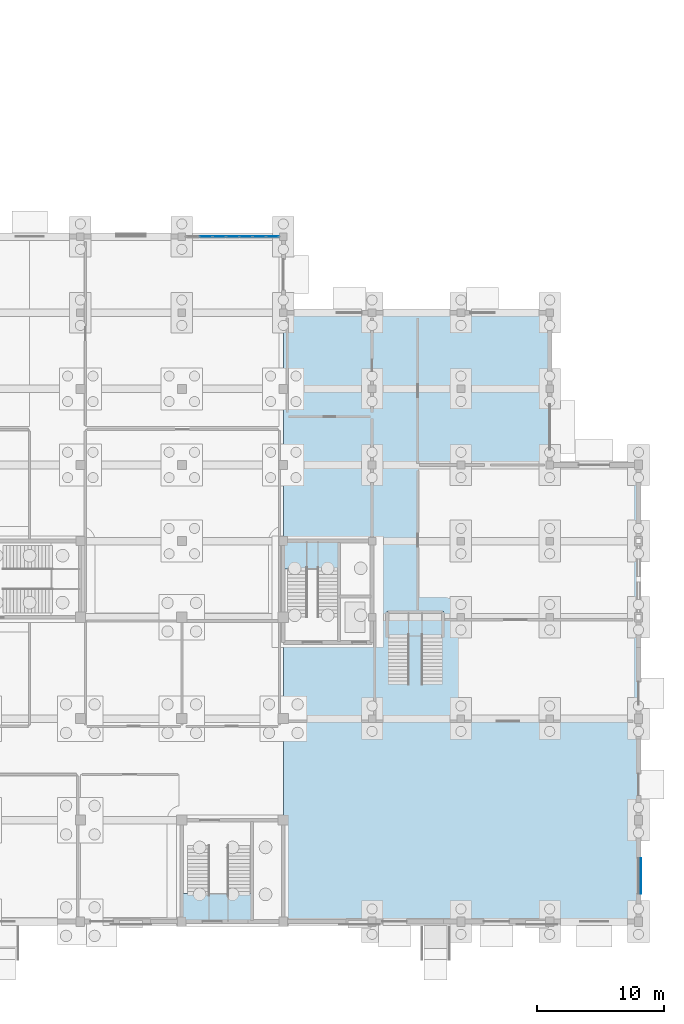
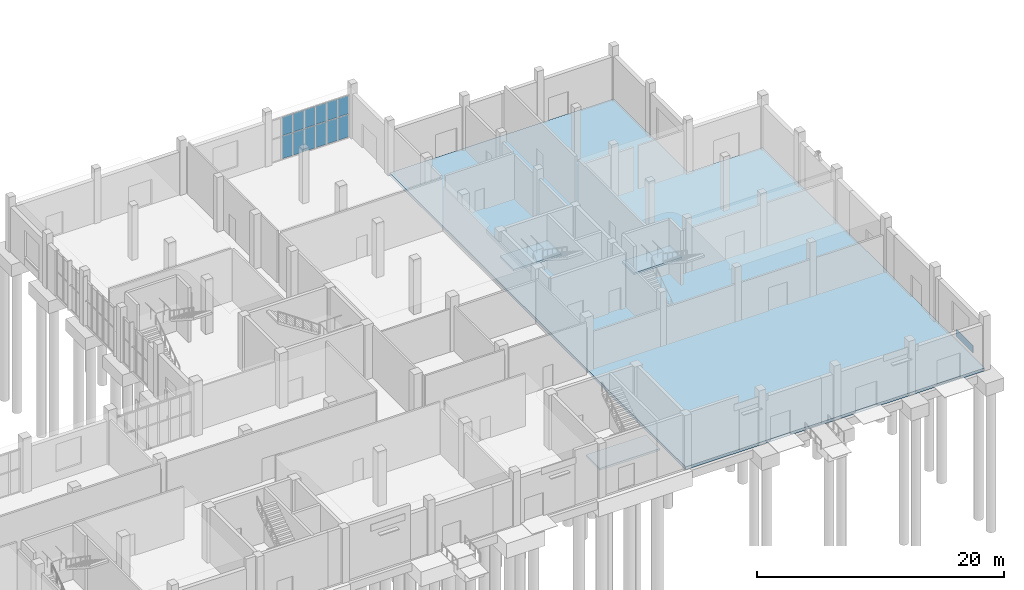
# One storey, part 40 of 69: 13 plates, 4 slabs, 4 elements without a shape of their own.
"""IFC4 building model written with IfcOpenShell, lengths in metres."""

from ifc_helpers import new_model, si_unit, direction, frame, origin, origin_2d, place, context, subcontext, project, spatial, polyline, rectangle, outline, extrude, material, layer, layer_set, type_object, element, aggregate, save


model = new_model("IFC4")

# Units and contexts
model_context = context("Model", 3, precision=1e-05, world=origin(), true_north=direction((0.0, 1.0)))
body_context = subcontext(model_context, "Body", "Model", "MODEL_VIEW")
ifc_project = project(units=[si_unit("LENGTHUNIT", "METRE"), si_unit("AREAUNIT", "SQUARE_METRE"), si_unit("VOLUMEUNIT", "CUBIC_METRE"), si_unit("PLANEANGLEUNIT", "RADIAN"), si_unit("MASSUNIT", "GRAM", prefix="KILO")], contexts=[model_context])

# Site, building, storey
site_placement = place(None, origin())
site = spatial("IfcSite", under=ifc_project, at=site_placement, CompositionType="ELEMENT")
building_placement = place(site_placement, origin())
building = spatial("IfcBuilding", under=site, at=building_placement, Name="Solvane Community Centre", CompositionType="ELEMENT")
storey_placement = place(building_placement, origin())
storey = spatial("IfcBuildingStorey", under=building, at=storey_placement, Name="L00", CompositionType="ELEMENT", Elevation=0.0)

# Plate
ifc_material_1 = material(Name="Anodised bronze aluminium AW-6063 T6", Category="aluminium")
ifc_layer_1 = layer(ifc_material_1, 0.02392578125)
ifc_layer_set_1 = layer_set([ifc_layer_1], Name="Anodised bronze aluminium AW-6063 T6")
plate_type_1 = type_object("IfcPlateType", Name="Bronze Spandrel Cassette 24mm", PredefinedType="SHEET", material=ifc_layer_set_1)
plate_1_placement = place(storey_placement, frame((168.201904296875, 9.60009765625, 0.06005859375), z_axis=(0.0, 0.0, 1.0), x_axis=(0.0, -1.0, 0.0)))
element("IfcPlate", 1, at=plate_1_placement, inside=storey, type_object=plate_type_1, Name="Art Deco Spandrel SPC-L00-021", PredefinedType="SHEET", context=body_context, shape_type="SweptSolid", body=[
    extrude(rectangle(XDim=2.800048828125, YDim=0.02392578125, at=origin_2d()), origin(), (0.0, 0.0, 1.0), 0.719970703125),
])

# Curtain wall, plates
ifc_layer_2 = layer(ifc_material_1, 0.18994140625)
ifc_layer_set_2 = layer_set([ifc_layer_2], Name="Anodised bronze aluminium AW-6063 T6")
curtain_wall_type = type_object("IfcCurtainWallType", Name="Boulevard Bronze Vision Curtain Wall [74x42dm]", PredefinedType="NOTDEFINED", material=ifc_layer_set_2)
curtain_wall_placement = place(storey_placement, origin())
curtain_wall = element("IfcCurtainWall", 2, at=curtain_wall_placement, inside=storey, type_object=curtain_wall_type, Name="Curtain Wall CW-L00-1323_600-030", PredefinedType="NOTDEFINED")
ifc_material_2 = material(Name="Tempered low-E double glazing", Category="glass")
ifc_layer_3 = layer(ifc_material_2, 0.028076171875)
ifc_layer_set_3 = layer_set([ifc_layer_3], Name="Tempered low-E double glazing")
plate_type_2 = type_object("IfcPlateType", Name="Low-E Vision Glazing Panel 28mm [74x42dm]", PredefinedType="CURTAIN_PANEL", material=ifc_layer_set_3)
plate_2_placement = place(storey_placement, frame((133.894287109375, 60.0, 0.06005859375), z_axis=(0.0, 0.0, 1.0), x_axis=(1.0, 0.0, 0.0)))
plate_2 = element("IfcPlate", 3, at=plate_2_placement, type_object=plate_type_2, Name="CW02-74x42 panel 2.1", PredefinedType="CURTAIN_PANEL", context=body_context, shape_type="SweptSolid", body=[
    extrude(rectangle(XDim=0.992919921875, YDim=0.028076171875, at=origin_2d()), origin(), (0.0, 0.0, 1.0), 2.2451171875),
])
plate_3_placement = place(storey_placement, frame((133.894287109375, 60.0, 2.36474609375), z_axis=(0.0, 0.0, 1.0), x_axis=(1.0, 0.0, 0.0)))
plate_3 = element("IfcPlate", 4, at=plate_3_placement, type_object=plate_type_2, Name="CW02-74x42 panel 2.2", PredefinedType="CURTAIN_PANEL", context=body_context, shape_type="SweptSolid", body=[
    extrude(rectangle(XDim=0.992919921875, YDim=0.028076171875, at=origin_2d()), origin(), (0.0, 0.0, 1.0), 1.820068359375),
])
plate_4_placement = place(storey_placement, frame((134.947021484375, 60.0, 0.06005859375), z_axis=(0.0, 0.0, 1.0), x_axis=(1.0, 0.0, 0.0)))
plate_4 = element("IfcPlate", 5, at=plate_4_placement, type_object=plate_type_2, Name="CW02-74x42 panel 3.1", PredefinedType="CURTAIN_PANEL", context=body_context, shape_type="SweptSolid", body=[
    extrude(rectangle(XDim=0.992919921875, YDim=0.028076171875, at=origin_2d()), origin(), (0.0, 0.0, 1.0), 2.2451171875),
])
plate_5_placement = place(storey_placement, frame((134.947021484375, 60.0, 2.36474609375), z_axis=(0.0, 0.0, 1.0), x_axis=(1.0, 0.0, 0.0)))
plate_5 = element("IfcPlate", 6, at=plate_5_placement, type_object=plate_type_2, Name="CW02-74x42 panel 3.2", PredefinedType="CURTAIN_PANEL", context=body_context, shape_type="SweptSolid", body=[
    extrude(rectangle(XDim=0.992919921875, YDim=0.028076171875, at=origin_2d()), origin(), (0.0, 0.0, 1.0), 1.820068359375),
])
plate_6_placement = place(storey_placement, frame((136.0, 60.0, 0.06005859375), z_axis=(0.0, 0.0, 1.0), x_axis=(1.0, 0.0, 0.0)))
plate_6 = element("IfcPlate", 7, at=plate_6_placement, type_object=plate_type_2, Name="CW02-74x42 panel 4.1", PredefinedType="CURTAIN_PANEL", context=body_context, shape_type="SweptSolid", body=[
    extrude(rectangle(XDim=0.992919921875, YDim=0.028076171875, at=origin_2d()), origin(), (0.0, 0.0, 1.0), 2.2451171875),
])
plate_7_placement = place(storey_placement, frame((136.0, 60.0, 2.36474609375), z_axis=(0.0, 0.0, 1.0), x_axis=(1.0, 0.0, 0.0)))
plate_7 = element("IfcPlate", 8, at=plate_7_placement, type_object=plate_type_2, Name="CW02-74x42 panel 4.2", PredefinedType="CURTAIN_PANEL", context=body_context, shape_type="SweptSolid", body=[
    extrude(rectangle(XDim=0.992919921875, YDim=0.028076171875, at=origin_2d()), origin(), (0.0, 0.0, 1.0), 1.820068359375),
])
plate_8_placement = place(storey_placement, frame((137.052978515625, 60.0, 0.06005859375), z_axis=(0.0, 0.0, 1.0), x_axis=(1.0, 0.0, 0.0)))
plate_8 = element("IfcPlate", 9, at=plate_8_placement, type_object=plate_type_2, Name="CW02-74x42 panel 5.1", PredefinedType="CURTAIN_PANEL", context=body_context, shape_type="SweptSolid", body=[
    extrude(rectangle(XDim=0.992919921875, YDim=0.028076171875, at=origin_2d()), origin(), (0.0, 0.0, 1.0), 2.2451171875),
])
plate_9_placement = place(storey_placement, frame((137.052978515625, 60.0, 2.36474609375), z_axis=(0.0, 0.0, 1.0), x_axis=(1.0, 0.0, 0.0)))
plate_9 = element("IfcPlate", 10, at=plate_9_placement, type_object=plate_type_2, Name="CW02-74x42 panel 5.2", PredefinedType="CURTAIN_PANEL", context=body_context, shape_type="SweptSolid", body=[
    extrude(rectangle(XDim=0.992919921875, YDim=0.028076171875, at=origin_2d()), origin(), (0.0, 0.0, 1.0), 1.820068359375),
])
plate_10_placement = place(storey_placement, frame((138.105712890625, 60.0, 0.06005859375), z_axis=(0.0, 0.0, 1.0), x_axis=(1.0, 0.0, 0.0)))
plate_10 = element("IfcPlate", 11, at=plate_10_placement, type_object=plate_type_2, Name="CW02-74x42 panel 6.1", PredefinedType="CURTAIN_PANEL", context=body_context, shape_type="SweptSolid", body=[
    extrude(rectangle(XDim=0.992919921875, YDim=0.028076171875, at=origin_2d()), origin(), (0.0, 0.0, 1.0), 2.2451171875),
])
plate_11_placement = place(storey_placement, frame((138.105712890625, 60.0, 2.36474609375), z_axis=(0.0, 0.0, 1.0), x_axis=(1.0, 0.0, 0.0)))
plate_11 = element("IfcPlate", 12, at=plate_11_placement, type_object=plate_type_2, Name="CW02-74x42 panel 6.2", PredefinedType="CURTAIN_PANEL", context=body_context, shape_type="SweptSolid", body=[
    extrude(rectangle(XDim=0.992919921875, YDim=0.028076171875, at=origin_2d()), origin(), (0.0, 0.0, 1.0), 1.820068359375),
])
plate_12_placement = place(storey_placement, frame((139.1435546875, 60.0, 0.06005859375), z_axis=(0.0, 0.0, 1.0), x_axis=(1.0, 0.0, 0.0)))
plate_12 = element("IfcPlate", 13, at=plate_12_placement, type_object=plate_type_2, Name="CW02-74x42 panel 7.1", PredefinedType="CURTAIN_PANEL", context=body_context, shape_type="SweptSolid", body=[
    extrude(rectangle(XDim=0.962890625, YDim=0.028076171875, at=origin_2d()), origin(), (0.0, 0.0, 1.0), 2.2451171875),
])
plate_13_placement = place(storey_placement, frame((139.1435546875, 60.0, 2.36474609375), z_axis=(0.0, 0.0, 1.0), x_axis=(1.0, 0.0, 0.0)))
plate_13 = element("IfcPlate", 14, at=plate_13_placement, type_object=plate_type_2, Name="CW02-74x42 panel 7.2", PredefinedType="CURTAIN_PANEL", context=body_context, shape_type="SweptSolid", body=[
    extrude(rectangle(XDim=0.962890625, YDim=0.028076171875, at=origin_2d()), origin(), (0.0, 0.0, 1.0), 1.820068359375),
])
aggregate(curtain_wall, [plate_2, plate_3, plate_4, plate_5, plate_6, plate_7, plate_8, plate_9, plate_10, plate_11, plate_12, plate_13])

# Slab
ifc_material_3 = material(Name="Concrete C35/45", Category="concrete")
ifc_layer_4 = layer(ifc_material_3, 0.280029296875)
ifc_layer_set_4 = layer_set([ifc_layer_4], Name="Concrete C35/45")
slab_type_1 = type_object("IfcSlabType", Name="RC Ground Base Slab 280mm [FP-L00-V3]", PredefinedType="BASESLAB", material=ifc_layer_set_4)
slab_1_placement = place(storey_placement, frame((0.0, 0.0, -0.280029296875)))
element("IfcSlab", 15, at=slab_1_placement, inside=storey, type_object=slab_type_1, Name="Floor Slab FP-L00-V3", PredefinedType="BASESLAB", context=body_context, shape_type="SweptSolid", body=[
    extrude(outline(polyline([(140.0, 6.0), (168.0, 6.0), (168.0, 42.0), (161.0, 42.0), (161.0, 54.0), (140.0, 54.0), (140.0, 6.0)])), origin(), (0.0, 0.0, 1.0), 0.280029296875),
])

# Stair, slab
stair_type_1 = type_object("IfcStairType", Name="RC Two-Flight Escape Stair 1720mm", PredefinedType="TWO_STRAIGHT_RUN_STAIR", material=ifc_material_3)
stair_1_placement = place(storey_placement, origin())
stair_1 = element("IfcStair", 16, at=stair_1_placement, inside=storey, type_object=stair_type_1, Name="Stair STR-C3-L00", PredefinedType="TWO_STRAIGHT_RUN_STAIR")
ifc_layer_5 = layer(ifc_material_3, 0.199951171875)
ifc_layer_set_5 = layer_set([ifc_layer_5], Name="Concrete C35/45")
slab_type_2 = type_object("IfcSlabType", Name="RC Stair Half-Landing Slab 200mm", PredefinedType="LANDING", material=ifc_layer_set_5)
slab_2_placement = place(storey_placement, frame((0.0, 0.0, 2.5)))
slab_2 = element("IfcSlab", 17, at=slab_2_placement, type_object=slab_type_2, Name="ST-05 landing 1", PredefinedType="LANDING", context=body_context, shape_type="SweptSolid", body=[
    extrude(outline(polyline([(131.9599609375, 5.9599609375), (137.56005859375, 5.9599609375), (137.56005859375, 8.199951171875), (131.9599609375, 8.199951171875), (131.9599609375, 5.9599609375)])), origin(), (0.0, 0.0, 1.0), 0.199951171875),
])
aggregate(stair_1, [slab_2])

stair_type_2 = type_object("IfcStairType", Name="RC Two-Flight Escape Stair 1520mm", PredefinedType="TWO_STRAIGHT_RUN_STAIR", material=ifc_material_3)
stair_2_placement = place(storey_placement, origin())
stair_2 = element("IfcStair", 18, at=stair_2_placement, inside=storey, type_object=stair_type_2, Name="Stair STR-C6-L00", PredefinedType="TWO_STRAIGHT_RUN_STAIR")
slab_3_placement = place(storey_placement, frame((0.0, 0.0, 2.5)))
slab_3 = element("IfcSlab", 19, at=slab_3_placement, type_object=slab_type_2, Name="ST-04 landing 1", PredefinedType="LANDING", context=body_context, shape_type="SweptSolid", body=[
    extrude(outline(polyline([(139.9599609375, 33.800048828125), (144.43994140625, 33.800048828125), (144.43994140625, 36.0400390625), (139.9599609375, 36.0400390625), (139.9599609375, 33.800048828125)])), origin(), (0.0, 0.0, 1.0), 0.199951171875),
])
aggregate(stair_2, [slab_3])

stair_type_3 = type_object("IfcStairType", Name="RC Two-Flight Escape Stair 1640mm", PredefinedType="TWO_STRAIGHT_RUN_STAIR", material=ifc_material_3)
stair_3_placement = place(storey_placement, origin())
stair_3 = element("IfcStair", 20, at=stair_3_placement, inside=storey, type_object=stair_type_3, Name="Stair STR-DIN-L00", PredefinedType="TWO_STRAIGHT_RUN_STAIR")
slab_4_placement = place(storey_placement, frame((0.0, 0.0, 2.5)))
slab_4 = element("IfcSlab", 21, at=slab_4_placement, type_object=slab_type_2, Name="ST-10 landing 1", PredefinedType="LANDING", context=body_context, shape_type="SweptSolid", body=[
    extrude(outline(polyline([(148.159912109375, 28.5), (152.639892578125, 28.5), (152.639892578125, 30.43994140625), (148.159912109375, 30.43994140625), (148.159912109375, 28.5)])), origin(), (0.0, 0.0, 1.0), 0.199951171875),
])
aggregate(stair_3, [slab_4])

save(model, "model.ifc")
